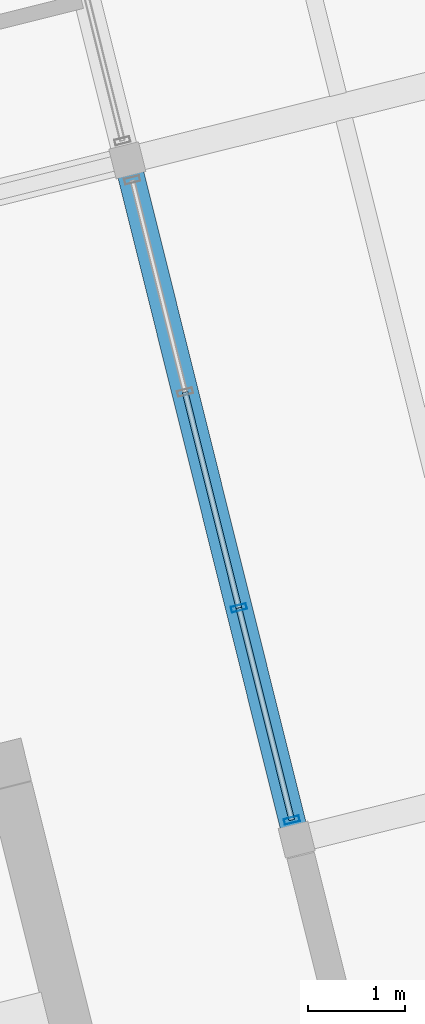
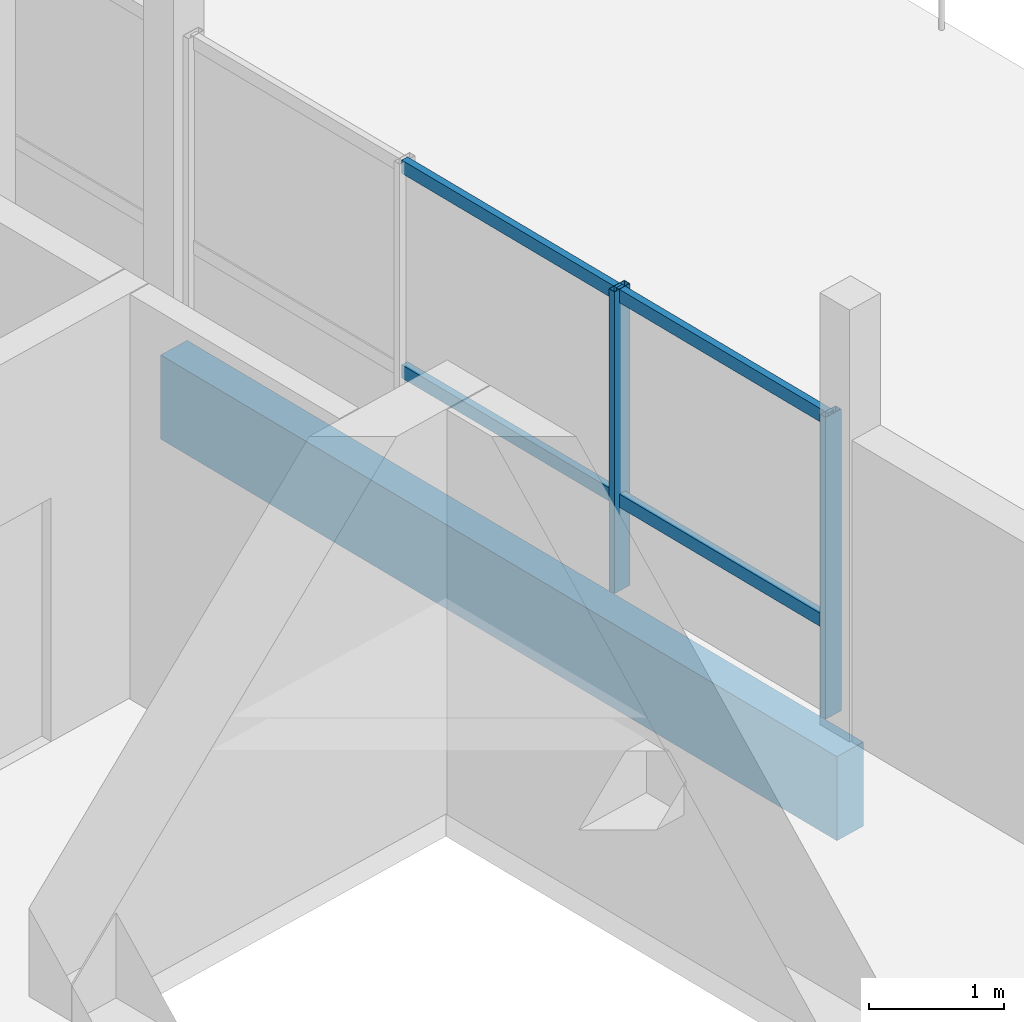
# One storey, part 14 of 24: 6 members, 1 beam, 1 element without a shape of its own.
"""IFC4 building model written with IfcOpenShell, lengths in metres."""

from ifc_helpers import new_model, si_unit, direction, frame, origin, origin_2d, place, context, subcontext, project, spatial, rectangle, hollow_rectangle, extrude, material, layer, layer_set, material_profile, profile_set, type_object, element, aggregate, save


model = new_model("IFC4")

# Units and contexts
model_context = context("Model", 3, precision=1e-05, world=origin(), true_north=direction((0.0, 1.0)))
body_context = subcontext(model_context, "Body", "Model", "MODEL_VIEW")
ifc_project = project(units=[si_unit("LENGTHUNIT", "METRE"), si_unit("AREAUNIT", "SQUARE_METRE"), si_unit("VOLUMEUNIT", "CUBIC_METRE"), si_unit("PLANEANGLEUNIT", "RADIAN"), si_unit("MASSUNIT", "GRAM", prefix="KILO")], contexts=[model_context])

# Site, building, storey
site_placement = place(None, origin())
site = spatial("IfcSite", under=ifc_project, at=site_placement, CompositionType="ELEMENT")
building_placement = place(site_placement, origin())
building = spatial("IfcBuilding", under=site, at=building_placement, Name="Meriwether Solvik Hall", CompositionType="ELEMENT")
storey_placement = place(building_placement, frame((0.0, 0.0, 57.300048828125)))
storey = spatial("IfcBuildingStorey", under=building, at=storey_placement, Name="L14", CompositionType="ELEMENT", Elevation=57.300048828125)

# Beam
ifc_material_1 = material(Name="Glulam Douglas-Fir 24F-V8 GL28h", Category="wood")
ifc_material_profile_1 = material_profile(ifc_material_1, rectangle(XDim=0.27294921875, YDim=0.760009765625, at=origin_2d()), Name="GLB-273X760")
ifc_profile_set_1 = profile_set([ifc_material_profile_1], Name="Glulam Douglas-Fir 24F-V8 GL28h")
beam_type = type_object("IfcBeamType", Name="BM-GL-273X760", PredefinedType="BEAM", material=ifc_profile_set_1)
beam_placement = place(storey_placement, frame((93.593994140625, 61.654296875, -0.60009765625), z_axis=(-0.241905269381, 0.970299871507, 0.0), x_axis=(-0.970299871507, -0.241905269381, 0.0)))
element("IfcBeam", 1, at=beam_placement, inside=storey, type_object=beam_type, Name="Tower Girder T5:TC-TD (L14)", PredefinedType="BEAM", context=body_context, shape_type="SweptSolid", body=[
    extrude(rectangle(XDim=0.27294921875, YDim=0.760009765625, at=origin_2d()), origin(), (0.0, 0.0, 1.0), 7.199951171875),
])

# Curtain wall, members
ifc_material_2 = material(Name="Thermally Broken Anodised Aluminium 6063-T6 and Low-E Glass", Category="aluminium")
ifc_layer = layer(ifc_material_2, 0.179931640625)
ifc_layer_set = layer_set([ifc_layer], Name="Thermally Broken Anodised Aluminium 6063-T6 and Low-E Glass")
curtain_wall_type = type_object("IfcCurtainWallType", Name="CW-UNIT-A", PredefinedType="USERDEFINED", material=ifc_layer_set)
curtain_wall_placement = place(storey_placement, origin())
curtain_wall = element("IfcCurtainWall", 2, at=curtain_wall_placement, inside=storey, type_object=curtain_wall_type, Name="Curtain Wall E1_B2 (L14)", ObjectType="UNITISED CURTAIN WALL", PredefinedType="USERDEFINED")
ifc_material_3 = material(Name="Anodised Aluminium 6063-T6", Category="aluminium")
ifc_material_profile_2 = material_profile(ifc_material_3, hollow_rectangle(XDim=0.06005859375, YDim=0.159912109375, WallThickness=0.00390625, at=origin_2d()), Name="CWM-60X160")
ifc_profile_set_2 = profile_set([ifc_material_profile_2], Name="Anodised Aluminium 6063-T6")
member_type_1 = type_object("IfcMemberType", Name="CW-MUL-60X160", PredefinedType="MULLION", material=ifc_profile_set_2)
member_1_placement = place(storey_placement, frame((92.999755859375, 64.037841796875, 0.0), z_axis=(0.0, 0.0, 1.0), x_axis=(0.241921877598, -0.970295730764, 0.0)))
member_1 = element("IfcMember", 3, at=member_1_placement, type_object=member_type_1, Name="Curtain Wall Mullion 3", PredefinedType="MULLION", context=body_context, shape_type="SweptSolid", body=[
    extrude(hollow_rectangle(XDim=0.06005859375, YDim=0.159912109375, WallThickness=0.00390625, at=origin_2d()), origin(), (0.0, 0.0, 1.0), 2.724853515625),
])
member_2_placement = place(storey_placement, frame((93.5439453125, 61.85546875, 0.0), z_axis=(0.0, 0.0, 1.0), x_axis=(0.241921877598, -0.970295730764, 0.0)))
member_2 = element("IfcMember", 4, at=member_2_placement, type_object=member_type_1, Name="Curtain Wall Mullion 4", PredefinedType="MULLION", context=body_context, shape_type="SweptSolid", body=[
    extrude(hollow_rectangle(XDim=0.06005859375, YDim=0.159912109375, WallThickness=0.00390625, at=origin_2d()), origin(), (0.0, 0.0, 1.0), 2.724853515625),
])
ifc_material_4 = material(Name="Anodised Aluminium 6063-T6", Category="aluminium")
ifc_material_profile_3 = material_profile(ifc_material_4, hollow_rectangle(XDim=0.06005859375, YDim=0.1201171875, WallThickness=0.00390625, at=origin_2d()), Name="CWT-60X120")
ifc_profile_set_3 = profile_set([ifc_material_profile_3], Name="Anodised Aluminium 6063-T6")
member_type_2 = type_object("IfcMemberType", Name="CW-TRN-60X120", PredefinedType="USERDEFINED", material=ifc_profile_set_3)
member_3_placement = place(storey_placement, frame((92.446533203125, 66.2568359375, 0.8173828125), z_axis=(0.241907601634, -0.97029929005, 0.0), x_axis=(0.97029929005, 0.241907601634, 0.0)))
member_3 = element("IfcMember", 5, at=member_3_placement, type_object=member_type_2, Name="Curtain Wall Transom 2-sill", ObjectType="TRANSOM", PredefinedType="USERDEFINED", context=body_context, shape_type="SweptSolid", body=[
    extrude(hollow_rectangle(XDim=0.06005859375, YDim=0.1201171875, WallThickness=0.00390625, at=origin_2d()), origin(), (0.0, 0.0, 1.0), 2.286865234375),
])
member_4_placement = place(storey_placement, frame((92.446533203125, 66.2568359375, 2.6650390625), z_axis=(0.241907601634, -0.97029929005, 0.0), x_axis=(0.97029929005, 0.241907601634, 0.0)))
member_4 = element("IfcMember", 6, at=member_4_placement, type_object=member_type_2, Name="Curtain Wall Transom 2-head", ObjectType="TRANSOM", PredefinedType="USERDEFINED", context=body_context, shape_type="SweptSolid", body=[
    extrude(hollow_rectangle(XDim=0.06005859375, YDim=0.1201171875, WallThickness=0.00390625, at=origin_2d()), origin(), (0.0, 0.0, 1.0), 2.286865234375),
])
member_5_placement = place(storey_placement, frame((92.999755859375, 64.037841796875, 0.8173828125), z_axis=(0.241948157292, -0.970289178123, 0.0), x_axis=(0.970289178123, 0.241948157292, 0.0)))
member_5 = element("IfcMember", 7, at=member_5_placement, type_object=member_type_2, Name="Curtain Wall Transom 3-sill", ObjectType="TRANSOM", PredefinedType="USERDEFINED", context=body_context, shape_type="SweptSolid", body=[
    extrude(hollow_rectangle(XDim=0.06005859375, YDim=0.1201171875, WallThickness=0.00390625, at=origin_2d()), origin(), (0.0, 0.0, 1.0), 2.249267578125),
])
member_6_placement = place(storey_placement, frame((92.999755859375, 64.037841796875, 2.6650390625), z_axis=(0.241948157292, -0.970289178123, 0.0), x_axis=(0.970289178123, 0.241948157292, 0.0)))
member_6 = element("IfcMember", 8, at=member_6_placement, type_object=member_type_2, Name="Curtain Wall Transom 3-head", ObjectType="TRANSOM", PredefinedType="USERDEFINED", context=body_context, shape_type="SweptSolid", body=[
    extrude(hollow_rectangle(XDim=0.06005859375, YDim=0.1201171875, WallThickness=0.00390625, at=origin_2d()), origin(), (0.0, 0.0, 1.0), 2.249267578125),
])
aggregate(curtain_wall, [member_1, member_2, member_3, member_4, member_5, member_6])

save(model, "model.ifc")
